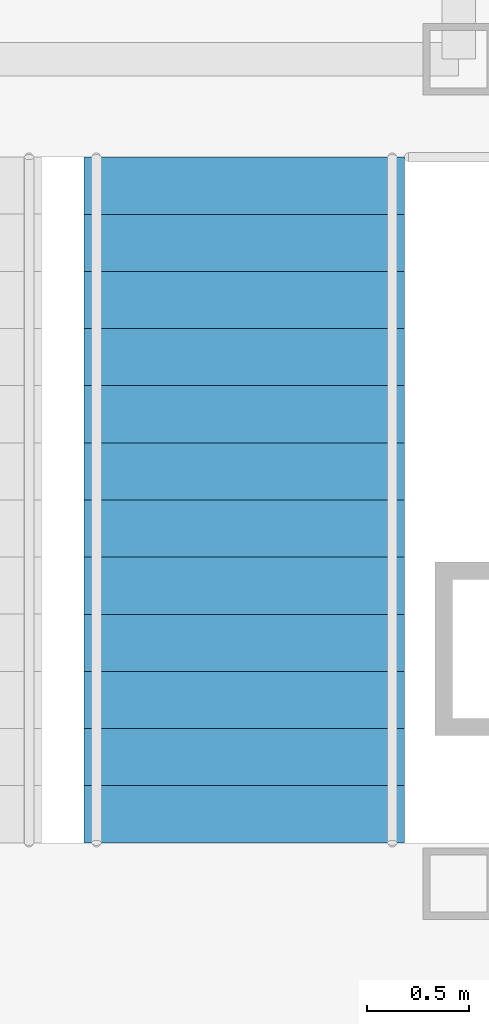
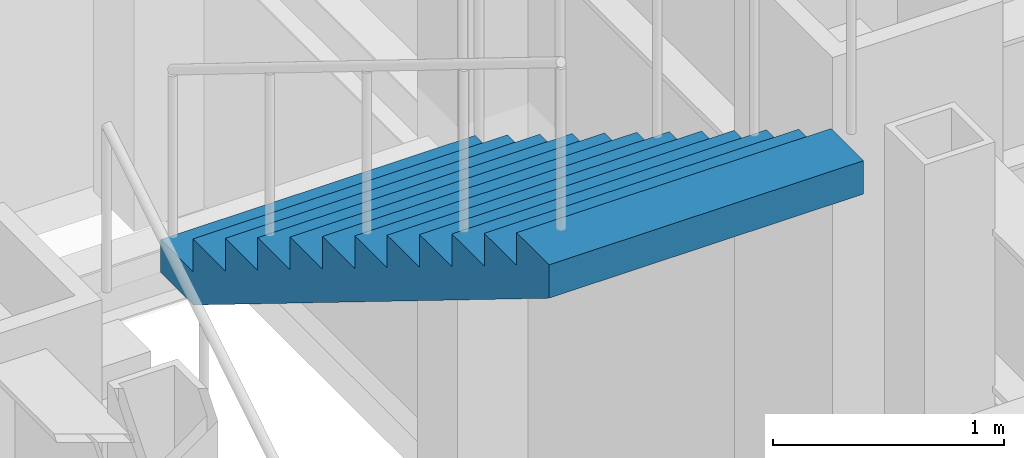
# One storey, part 13 of 16: 1 stair flight, 1 element without a shape of its own.
"""IFC4 building model written with IfcOpenShell, lengths in metres."""

import ifcopenshell
import ifcopenshell.guid

model = None  # the IFC model being written
_history = None  # IfcOwnerHistory: only IFC2X3 demands one
_inside = {}  # id of a spatial element -> (the spatial element, [elements in it])
_under = {}  # id of a project, library or spatial element -> (it, [spatial elements below it])
_declared = {}  # id of a project -> (the project, [libraries it declares])
_typed = {}  # id of a type object -> (the type object, [elements of that type])
_made_of = {}  # id of a material, layer set ... -> (it, [elements and type objects made of it])


def new_model(schema):
    """Start an empty IFC model of exactly this schema.

    Asked for "IFC4X3", IfcOpenShell would pick the latest addendum, in which some entities
    have other attributes; the version numbers below select the first issue.
    IFC2X3 requires an IfcOwnerHistory on every rooted entity: one is made here for all.
    """
    global model, _history
    if schema == "IFC4X3":
        model = ifcopenshell.file(schema_version=(4, 3, 0, 0))
    else:
        model = ifcopenshell.file(schema=schema)
    _inside.clear()
    _under.clear()
    _declared.clear()
    _typed.clear()
    _made_of.clear()
    _history = None
    if model.schema == "IFC2X3":
        org = make("IfcOrganization", Name="unknown")
        user = make(
            "IfcPersonAndOrganization",
            ThePerson=make("IfcPerson", FamilyName="unknown"),
            TheOrganization=org,
        )
        app = make(
            "IfcApplication",
            ApplicationDeveloper=org,
            Version="unknown",
            ApplicationFullName="unknown",
            ApplicationIdentifier="unknown",
        )
        _history = make(
            "IfcOwnerHistory",
            OwningUser=user,
            OwningApplication=app,
            ChangeAction="ADDED",
            CreationDate=0,
        )
    return model


def make(cls, **values):
    """One entity of the class cls with the attributes given. An attribute that is None is left unset."""
    return model.create_entity(
        cls, **{name: value for name, value in values.items() if value is not None}
    )


def rooted(cls, **values):
    """An entity with a GlobalId (a new one), such as an element, a storey or a relation."""
    return make(cls, GlobalId=ifcopenshell.guid.new(), OwnerHistory=_history, **values)


def si_unit(unit_type, name, prefix=None):
    """IfcSIUnit, for example si_unit("LENGTHUNIT", "METRE", prefix="MILLI")."""
    return make("IfcSIUnit", UnitType=unit_type, Prefix=prefix, Name=name)


def assignment(units):
    """IfcUnitAssignment: the units of a project."""
    return None if units is None else make("IfcUnitAssignment", Units=units)


def point(xyz):
    """IfcCartesianPoint."""
    return None if xyz is None else make("IfcCartesianPoint", Coordinates=xyz)


def direction(xyz):
    """IfcDirection."""
    return None if xyz is None else make("IfcDirection", DirectionRatios=xyz)


def frame(location, z_axis=None, x_axis=None):
    """IfcAxis2Placement3D, a coordinate frame: its origin and axes. An axis left out is left unset."""
    return make(
        "IfcAxis2Placement3D",
        Location=point(location),
        Axis=direction(z_axis),
        RefDirection=direction(x_axis),
    )


def origin():
    """The frame at (0, 0, 0) with its axes left unset."""
    return frame((0.0, 0.0, 0.0))


def place(relative_to, where):
    """IfcLocalPlacement: puts the frame where relative to a parent placement (None: the world)."""
    return make(
        "IfcLocalPlacement", PlacementRelTo=relative_to, RelativePlacement=where
    )


def context(
    kind, dimensions, precision=None, world=None, true_north=None, identifier=None
):
    """IfcGeometricRepresentationContext, for example the 3D "Model" context."""
    return make(
        "IfcGeometricRepresentationContext",
        ContextIdentifier=identifier,
        ContextType=kind,
        CoordinateSpaceDimension=dimensions,
        Precision=precision,
        WorldCoordinateSystem=world,
        TrueNorth=true_north,
    )


def subcontext(parent, identifier, kind, view, scale=None):
    """IfcGeometricRepresentationSubContext, for example "Body" below "Model"."""
    return make(
        "IfcGeometricRepresentationSubContext",
        ContextIdentifier=identifier,
        ContextType=kind,
        ParentContext=parent,
        TargetScale=scale,
        TargetView=view,
    )


def project(units=None, contexts=None):
    """IfcProject with its units and contexts."""
    return rooted(
        "IfcProject",
        Name="project",
        RepresentationContexts=contexts,
        UnitsInContext=assignment(units),
    )


def spatial(cls, under=None, at=None, **own):
    """A site, building, storey or space (cls), placed at a placement, below another one or the project."""
    s = rooted(cls, ObjectPlacement=at, **own)
    if under is not None:
        _under.setdefault(under.id(), (under, []))[1].append(s)
    return s


def faces_of(points, faces, orient=None, outer=None):
    """IfcFace entities. A face is a list of loops; a loop is a list of indices into points, from 0.

    orient and outer hold one flag for each loop. By default every Orientation is true, the
    first loop of a face is its IfcFaceOuterBound and the others are IfcFaceBound.
    """
    made = []
    for i, loops in enumerate(faces):
        bounds = []
        for j, loop in enumerate(loops):
            is_outer = j == 0 if outer is None else outer[i][j]
            bounds.append(
                make(
                    "IfcFaceOuterBound" if is_outer else "IfcFaceBound",
                    Bound=make("IfcPolyLoop", Polygon=[points[k] for k in loop]),
                    Orientation=True if orient is None else orient[i][j],
                )
            )
        made.append(make("IfcFace", Bounds=bounds))
    return made


def faceted_brep(points, faces, orient=None, outer=None, voids=None):
    """IfcFacetedBrep: a solid bounded by flat faces; with voids (closed shells), ...WithVoids."""
    shared = [point(p) for p in points]
    hull = make("IfcClosedShell", CfsFaces=faces_of(shared, faces, orient, outer))
    if voids is None:
        return make("IfcFacetedBrep", Outer=hull)
    return make(
        "IfcFacetedBrepWithVoids",
        Outer=hull,
        Voids=[
            make(cls, CfsFaces=faces_of(shared, fs, o, b)) for cls, fs, o, b in voids
        ],
    )


def shape(context_of_items, identifier, shape_type, items):
    """IfcShapeRepresentation: the items that make up one representation, for example the "Body"."""
    return make(
        "IfcShapeRepresentation",
        ContextOfItems=context_of_items,
        RepresentationIdentifier=identifier,
        RepresentationType=shape_type,
        Items=items,
    )


def material(Name=None, Category=None):
    """IfcMaterial."""
    return make("IfcMaterial", Name=Name, Category=Category)


def made_of(thing, what):
    """Note that an element or type object is made of a material, layer set ...; save() writes the relation."""
    if what is not None:
        _made_of.setdefault(what.id(), (what, []))[1].append(thing)
    return thing


def type_object(cls, material=None, **own):
    """A type object (cls), such as IfcWallType, which elements share."""
    return made_of(rooted(cls, **own), material)


def element(
    cls,
    number,
    at=None,
    inside=None,
    cuts=None,
    type_object=None,
    material=None,
    context=None,
    identifier="Body",
    shape_type=None,
    held_by="IfcProductDefinitionShape",
    body=None,
    shapes=None,
    **own,
):
    """One element of the class cls, such as IfcWall. Its Tag is "e" and its number.

    at: its placement. inside: the storey or other place that contains it. cuts: it is an
    opening in that element (IfcRelVoidsElement). A single representation is given by context,
    identifier, shape_type and body (its items); several are given by shapes. held_by: the class
    of the entity that holds the representations. save() writes the other relations.
    """
    e = rooted(cls, Tag="e%d" % number, ObjectPlacement=at, **own)
    if body is not None:
        shapes = [shape(context, identifier, shape_type, body)]
    if shapes is not None:
        e.Representation = make(held_by, Representations=shapes)
    if inside is not None:
        _inside.setdefault(inside.id(), (inside, []))[1].append(e)
    if cuts is not None:
        rooted(
            "IfcRelVoidsElement", RelatingBuildingElement=cuts, RelatedOpeningElement=e
        )
    if type_object is not None:
        _typed.setdefault(type_object.id(), (type_object, []))[1].append(e)
    return made_of(e, material)


def aggregate(whole, parts):
    """IfcRelAggregates: a whole, such as a stair, and the parts it consists of."""
    return rooted("IfcRelAggregates", RelatingObject=whole, RelatedObjects=parts)


def save(model, path):
    """Write the relations noted so far, then the file.

    IfcRelAggregates (storeys below a building ...), IfcRelContainedInSpatialStructure (elements
    in a storey), IfcRelDefinesByType, IfcRelAssociatesMaterial and IfcRelDeclares: one each for
    every whole, place, type object, material and project.
    """
    for whole, parts in _under.values():
        aggregate(whole, parts)
    for where, things in _inside.values():
        rooted(
            "IfcRelContainedInSpatialStructure",
            RelatedElements=things,
            RelatingStructure=where,
        )
    for kind, things in _typed.values():
        rooted("IfcRelDefinesByType", RelatedObjects=things, RelatingType=kind)
    for what, things in _made_of.values():
        rooted("IfcRelAssociatesMaterial", RelatedObjects=things, RelatingMaterial=what)
    for by, libraries in _declared.values():
        rooted("IfcRelDeclares", RelatingContext=by, RelatedDefinitions=libraries)
    model.write(path)


model = new_model("IFC4")

# Units and contexts
model_context = context("Model", 3, precision=1e-05, world=origin(), true_north=direction((0.0, 1.0)))
body_context = subcontext(model_context, "Body", "Model", "MODEL_VIEW")
ifc_project = project(units=[si_unit("LENGTHUNIT", "METRE"), si_unit("AREAUNIT", "SQUARE_METRE"), si_unit("VOLUMEUNIT", "CUBIC_METRE"), si_unit("PLANEANGLEUNIT", "RADIAN"), si_unit("MASSUNIT", "GRAM", prefix="KILO")], contexts=[model_context])

# Site, building, storey
site_placement = place(None, origin())
site = spatial("IfcSite", under=ifc_project, at=site_placement, CompositionType="ELEMENT")
building_placement = place(site_placement, origin())
building = spatial("IfcBuilding", under=site, at=building_placement, Name="Chuquiago Exchange Tower", CompositionType="ELEMENT")
storey_placement = place(building_placement, frame((0.0, 0.0, 73.800048828125)))
storey = spatial("IfcBuildingStorey", under=building, at=storey_placement, Name="L15", CompositionType="ELEMENT", Elevation=73.800048828125)

# Stair, stair flight
ifc_material_1 = material(Name="Concrete C30/37, precast", Category="concrete")
stair_type = type_object("IfcStairType", Name="ST2 half-turn stair 4500", PredefinedType="HALF_TURN_STAIR", material=ifc_material_1)
stair_placement = place(storey_placement, origin())
stair = element("IfcStair", 1, at=stair_placement, inside=storey, type_object=stair_type, Name="Stair ST2 L15", PredefinedType="HALF_TURN_STAIR")
ifc_material_2 = material(Name="Concrete C30/37, precast", Category="concrete")
stair_flight_type = type_object("IfcStairFlightType", Name="ST-F flight 1570 for 4500 storey", PredefinedType="STRAIGHT", material=ifc_material_2)
stair_flight_placement = place(storey_placement, frame((31.639892578125, 26.409912109375, 2.25), z_axis=(0.0, 0.0, 1.0), x_axis=(0.0, -1.0, 0.0)))
stair_flight = element("IfcStairFlight", 2, at=stair_flight_placement, type_object=stair_flight_type, Name="ST2 flight 2", NumberOfRisers=13, NumberOfTreads=12, PredefinedType="STRAIGHT", RiserHeight=0.173076923, TreadLength=0.28, context=body_context, shape_type="Brep", body=[
    faceted_brep([(0.0, 0.78515625, 0.0), (0.0, 0.78515625, 0.173095703125), (0.280029296875, 0.78515625, 0.173095703125), (0.280029296875, 0.78515625, 0.34619140625), (0.56005859375, 0.78515625, 0.34619140625), (0.56005859375, 0.78515625, 0.519287109375), (0.840087890625, 0.78515625, 0.519287109375), (0.840087890625, 0.78515625, 0.6923828125), (1.1201171875, 0.78515625, 0.6923828125), (1.1201171875, 0.78515625, 0.865478515625), (1.39990234375, 0.78515625, 0.865478515625), (1.39990234375, 0.78515625, 1.03857421875), (1.679931640625, 0.78515625, 1.03857421875), (1.679931640625, 0.78515625, 1.21142578125), (1.9599609375, 0.78515625, 1.21142578125), (1.9599609375, 0.78515625, 1.384521484375), (2.239990234375, 0.78515625, 1.384521484375), (2.239990234375, 0.78515625, 1.5576171875), (2.52001953125, 0.78515625, 1.5576171875), (2.52001953125, 0.78515625, 1.730712890625), (2.800048828125, 0.78515625, 1.730712890625), (2.800048828125, 0.78515625, 1.90380859375), (3.080078125, 0.78515625, 1.90380859375), (3.080078125, 0.78515625, 2.076904296875), (3.360107421875, 0.78515625, 2.076904296875), (3.360107421875, 0.78515625, 1.900634765625), (0.28515625, 0.78515625, 0.0), (0.28515625, -0.78515625, 0.0), (3.360107421875, -0.78515625, 1.900634765625), (3.360107421875, -0.78515625, 2.076904296875), (3.080078125, -0.78515625, 2.076904296875), (3.080078125, -0.78515625, 1.90380859375), (2.800048828125, -0.78515625, 1.90380859375), (2.800048828125, -0.78515625, 1.730712890625), (2.52001953125, -0.78515625, 1.730712890625), (2.52001953125, -0.78515625, 1.5576171875), (2.239990234375, -0.78515625, 1.5576171875), (2.239990234375, -0.78515625, 1.384521484375), (1.9599609375, -0.78515625, 1.384521484375), (1.9599609375, -0.78515625, 1.21142578125), (1.679931640625, -0.78515625, 1.21142578125), (1.679931640625, -0.78515625, 1.03857421875), (1.39990234375, -0.78515625, 1.03857421875), (1.39990234375, -0.78515625, 0.865478515625), (1.1201171875, -0.78515625, 0.865478515625), (1.1201171875, -0.78515625, 0.6923828125), (0.840087890625, -0.78515625, 0.6923828125), (0.840087890625, -0.78515625, 0.519287109375), (0.56005859375, -0.78515625, 0.519287109375), (0.56005859375, -0.78515625, 0.34619140625), (0.280029296875, -0.78515625, 0.34619140625), (0.280029296875, -0.78515625, 0.173095703125), (0.0, -0.78515625, 0.173095703125), (0.0, -0.78515625, 0.0), (0.0, 0.392578125, 0.0), (0.0, 0.392578125, 0.173095703125), (0.0, 0.0, 0.0), (0.0, 0.0, 0.173095703125), (0.0, -0.392578125, 0.0), (0.0, -0.392578125, 0.173095703125), (0.280029296875, 0.392578125, 0.173095703125), (0.280029296875, 0.0, 0.173095703125), (0.280029296875, -0.392578125, 0.173095703125), (0.280029296875, 0.392578125, 0.34619140625), (0.280029296875, 0.0, 0.34619140625), (0.280029296875, -0.392578125, 0.34619140625), (0.56005859375, 0.392578125, 0.34619140625), (0.56005859375, 0.0, 0.34619140625), (0.56005859375, -0.392578125, 0.34619140625), (0.56005859375, 0.392578125, 0.519287109375), (0.56005859375, 0.0, 0.519287109375), (0.56005859375, -0.392578125, 0.519287109375), (0.840087890625, 0.392578125, 0.519287109375), (0.840087890625, 0.0, 0.519287109375), (0.840087890625, -0.392578125, 0.519287109375), (0.840087890625, 0.392578125, 0.6923828125), (0.840087890625, 0.0, 0.6923828125), (0.840087890625, -0.392578125, 0.6923828125), (1.1201171875, 0.392578125, 0.6923828125), (1.1201171875, 0.0, 0.6923828125), (1.1201171875, -0.392578125, 0.6923828125), (1.1201171875, 0.392578125, 0.865478515625), (1.1201171875, 0.0, 0.865478515625), (1.1201171875, -0.392578125, 0.865478515625), (1.39990234375, 0.392578125, 0.865478515625), (1.39990234375, 0.0, 0.865478515625), (1.39990234375, -0.392578125, 0.865478515625), (1.39990234375, 0.392578125, 1.03857421875), (1.39990234375, 0.0, 1.03857421875), (1.39990234375, -0.392578125, 1.03857421875), (1.679931640625, 0.392578125, 1.03857421875), (1.679931640625, 0.0, 1.03857421875), (1.679931640625, -0.392578125, 1.03857421875), (1.679931640625, 0.392578125, 1.21142578125), (1.679931640625, 0.0, 1.21142578125), (1.679931640625, -0.392578125, 1.21142578125), (1.9599609375, 0.392578125, 1.21142578125), (1.9599609375, 0.0, 1.21142578125), (1.9599609375, -0.392578125, 1.21142578125), (1.9599609375, 0.392578125, 1.384521484375), (1.9599609375, 0.0, 1.384521484375), (1.9599609375, -0.392578125, 1.384521484375), (2.239990234375, 0.392578125, 1.384521484375), (2.239990234375, 0.0, 1.384521484375), (2.239990234375, -0.392578125, 1.384521484375), (2.239990234375, 0.392578125, 1.5576171875), (2.239990234375, 0.0, 1.5576171875), (2.239990234375, -0.392578125, 1.5576171875), (2.52001953125, 0.392578125, 1.5576171875), (2.52001953125, 0.0, 1.5576171875), (2.52001953125, -0.392578125, 1.5576171875), (2.52001953125, 0.392578125, 1.730712890625), (2.52001953125, 0.0, 1.730712890625), (2.52001953125, -0.392578125, 1.730712890625), (2.800048828125, 0.392578125, 1.730712890625), (2.800048828125, 0.0, 1.730712890625), (2.800048828125, -0.392578125, 1.730712890625), (2.800048828125, 0.392578125, 1.90380859375), (2.800048828125, 0.0, 1.90380859375), (2.800048828125, -0.392578125, 1.90380859375), (3.080078125, 0.392578125, 1.90380859375), (3.080078125, 0.0, 1.90380859375), (3.080078125, -0.392578125, 1.90380859375), (3.080078125, 0.392578125, 2.076904296875), (3.080078125, 0.0, 2.076904296875), (3.080078125, -0.392578125, 2.076904296875), (3.360107421875, 0.392578125, 2.076904296875), (3.360107421875, 0.0, 2.076904296875), (3.360107421875, -0.392578125, 2.076904296875), (3.360107421875, 0.392578125, 1.900634765625), (3.360107421875, 0.0, 1.900634765625), (3.360107421875, -0.392578125, 1.900634765625), (0.28515625, 0.392578125, 0.0), (0.28515625, 0.0, 0.0), (0.28515625, -0.392578125, 0.0)], [[[0, 1, 2, 3, 4, 5, 6, 7, 8, 9, 10, 11, 12, 13, 14, 15, 16, 17, 18, 19, 20, 21, 22, 23, 24, 25, 26]], [[27, 28, 29, 30, 31, 32, 33, 34, 35, 36, 37, 38, 39, 40, 41, 42, 43, 44, 45, 46, 47, 48, 49, 50, 51, 52, 53]], [[1, 0, 54, 55]], [[55, 54, 56, 57]], [[57, 56, 58, 59]], [[59, 58, 53, 52]], [[2, 1, 55, 60]], [[60, 55, 57, 61]], [[61, 57, 59, 62]], [[62, 59, 52, 51]], [[3, 2, 60, 63]], [[63, 60, 61, 64]], [[64, 61, 62, 65]], [[65, 62, 51, 50]], [[4, 3, 63, 66]], [[66, 63, 64, 67]], [[67, 64, 65, 68]], [[68, 65, 50, 49]], [[5, 4, 66, 69]], [[69, 66, 67, 70]], [[70, 67, 68, 71]], [[71, 68, 49, 48]], [[6, 5, 69, 72]], [[72, 69, 70, 73]], [[73, 70, 71, 74]], [[74, 71, 48, 47]], [[7, 6, 72, 75]], [[75, 72, 73, 76]], [[76, 73, 74, 77]], [[77, 74, 47, 46]], [[8, 7, 75, 78]], [[78, 75, 76, 79]], [[79, 76, 77, 80]], [[80, 77, 46, 45]], [[9, 8, 78, 81]], [[81, 78, 79, 82]], [[82, 79, 80, 83]], [[83, 80, 45, 44]], [[10, 9, 81, 84]], [[84, 81, 82, 85]], [[85, 82, 83, 86]], [[86, 83, 44, 43]], [[11, 10, 84, 87]], [[87, 84, 85, 88]], [[88, 85, 86, 89]], [[89, 86, 43, 42]], [[12, 11, 87, 90]], [[90, 87, 88, 91]], [[91, 88, 89, 92]], [[92, 89, 42, 41]], [[13, 12, 90, 93]], [[93, 90, 91, 94]], [[94, 91, 92, 95]], [[95, 92, 41, 40]], [[14, 13, 93, 96]], [[96, 93, 94, 97]], [[97, 94, 95, 98]], [[98, 95, 40, 39]], [[15, 14, 96, 99]], [[99, 96, 97, 100]], [[100, 97, 98, 101]], [[101, 98, 39, 38]], [[16, 15, 99, 102]], [[102, 99, 100, 103]], [[103, 100, 101, 104]], [[104, 101, 38, 37]], [[17, 16, 102, 105]], [[105, 102, 103, 106]], [[106, 103, 104, 107]], [[107, 104, 37, 36]], [[18, 17, 105, 108]], [[108, 105, 106, 109]], [[109, 106, 107, 110]], [[110, 107, 36, 35]], [[19, 18, 108, 111]], [[111, 108, 109, 112]], [[112, 109, 110, 113]], [[113, 110, 35, 34]], [[20, 19, 111, 114]], [[114, 111, 112, 115]], [[115, 112, 113, 116]], [[116, 113, 34, 33]], [[21, 20, 114, 117]], [[117, 114, 115, 118]], [[118, 115, 116, 119]], [[119, 116, 33, 32]], [[22, 21, 117, 120]], [[120, 117, 118, 121]], [[121, 118, 119, 122]], [[122, 119, 32, 31]], [[23, 22, 120, 123]], [[123, 120, 121, 124]], [[124, 121, 122, 125]], [[125, 122, 31, 30]], [[24, 23, 123, 126]], [[126, 123, 124, 127]], [[127, 124, 125, 128]], [[128, 125, 30, 29]], [[25, 24, 126, 129]], [[129, 126, 127, 130]], [[130, 127, 128, 131]], [[131, 128, 29, 28]], [[26, 25, 129, 132]], [[132, 129, 130, 133]], [[133, 130, 131, 134]], [[134, 131, 28, 27]], [[0, 26, 132, 54]], [[54, 132, 133, 56]], [[56, 133, 134, 58]], [[58, 134, 27, 53]]]),
])
aggregate(stair, [stair_flight])

save(model, "model.ifc")
